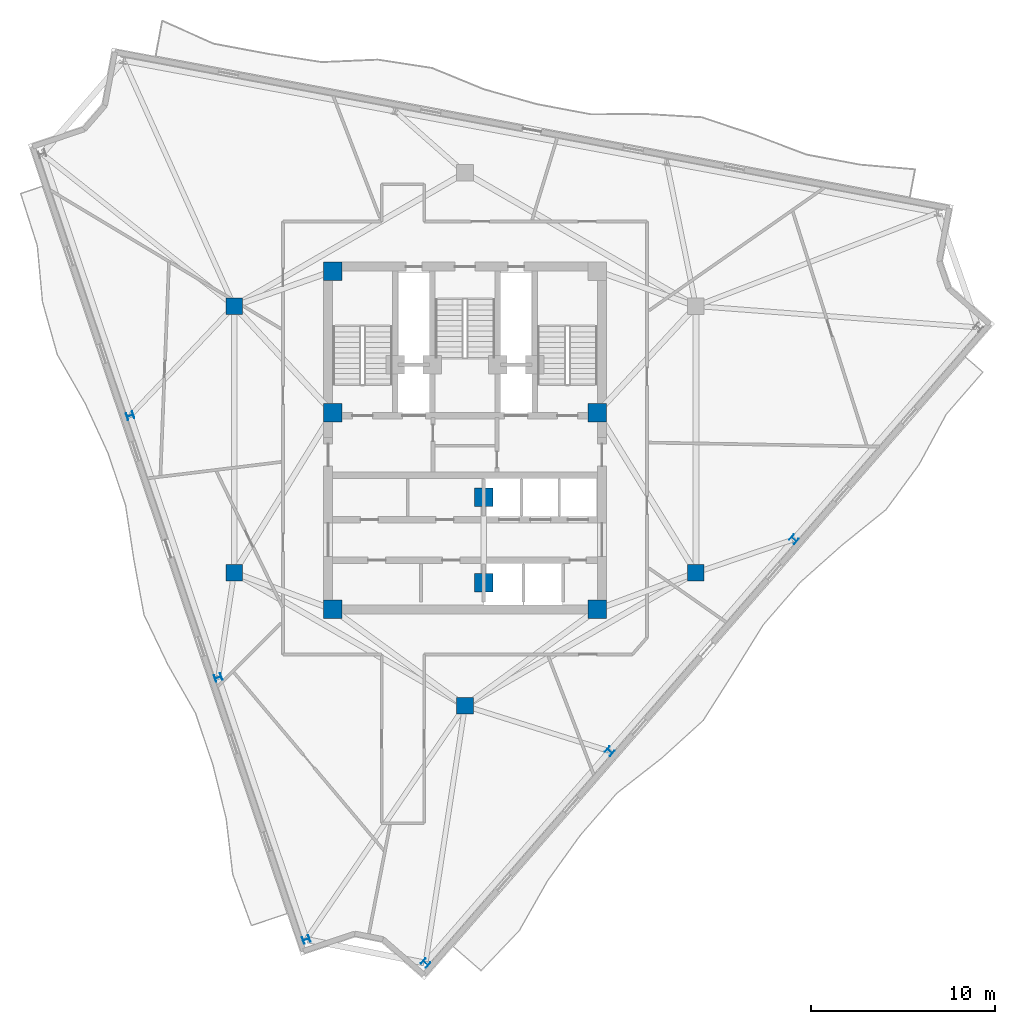
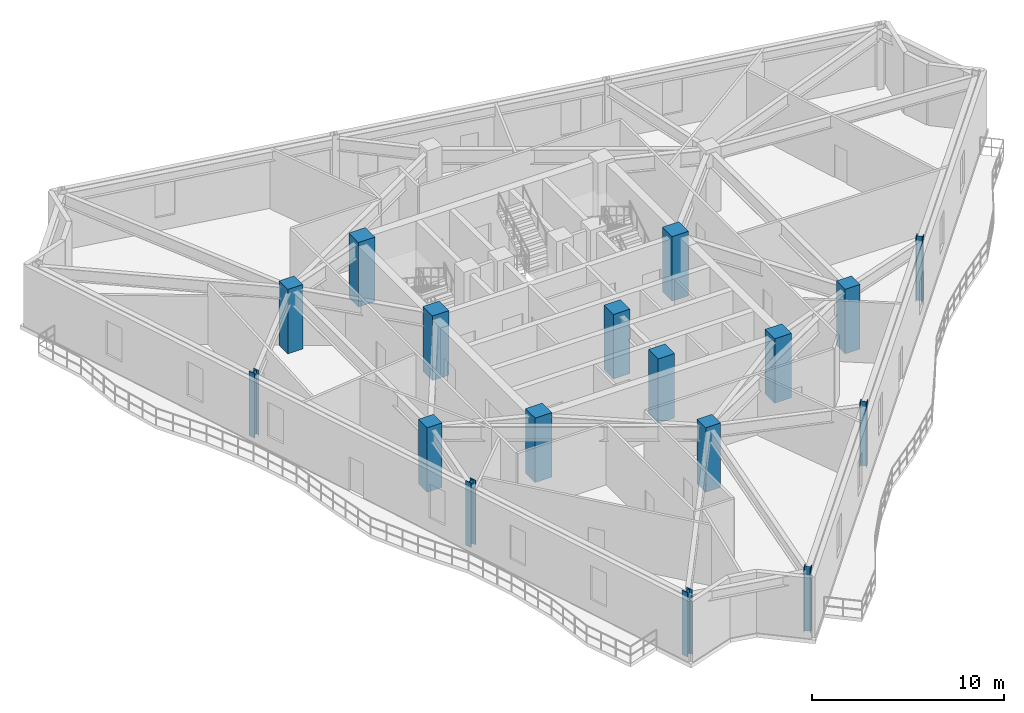
# One storey, part 1 of 10: 17 columns.
"""IFC4 building model written with IfcOpenShell, lengths in metres."""

import ifcopenshell
import ifcopenshell.guid

model = None  # the IFC model being written
_history = None  # IfcOwnerHistory: only IFC2X3 demands one
_inside = {}  # id of a spatial element -> (the spatial element, [elements in it])
_under = {}  # id of a project, library or spatial element -> (it, [spatial elements below it])
_declared = {}  # id of a project -> (the project, [libraries it declares])
_typed = {}  # id of a type object -> (the type object, [elements of that type])
_made_of = {}  # id of a material, layer set ... -> (it, [elements and type objects made of it])


def new_model(schema):
    """Start an empty IFC model of exactly this schema.

    Asked for "IFC4X3", IfcOpenShell would pick the latest addendum, in which some entities
    have other attributes; the version numbers below select the first issue.
    IFC2X3 requires an IfcOwnerHistory on every rooted entity: one is made here for all.
    """
    global model, _history
    if schema == "IFC4X3":
        model = ifcopenshell.file(schema_version=(4, 3, 0, 0))
    else:
        model = ifcopenshell.file(schema=schema)
    _inside.clear()
    _under.clear()
    _declared.clear()
    _typed.clear()
    _made_of.clear()
    _history = None
    if model.schema == "IFC2X3":
        org = make("IfcOrganization", Name="unknown")
        user = make(
            "IfcPersonAndOrganization",
            ThePerson=make("IfcPerson", FamilyName="unknown"),
            TheOrganization=org,
        )
        app = make(
            "IfcApplication",
            ApplicationDeveloper=org,
            Version="unknown",
            ApplicationFullName="unknown",
            ApplicationIdentifier="unknown",
        )
        _history = make(
            "IfcOwnerHistory",
            OwningUser=user,
            OwningApplication=app,
            ChangeAction="ADDED",
            CreationDate=0,
        )
    return model


def make(cls, **values):
    """One entity of the class cls with the attributes given. An attribute that is None is left unset."""
    return model.create_entity(
        cls, **{name: value for name, value in values.items() if value is not None}
    )


def rooted(cls, **values):
    """An entity with a GlobalId (a new one), such as an element, a storey or a relation."""
    return make(cls, GlobalId=ifcopenshell.guid.new(), OwnerHistory=_history, **values)


def si_unit(unit_type, name, prefix=None):
    """IfcSIUnit, for example si_unit("LENGTHUNIT", "METRE", prefix="MILLI")."""
    return make("IfcSIUnit", UnitType=unit_type, Prefix=prefix, Name=name)


def assignment(units):
    """IfcUnitAssignment: the units of a project."""
    return None if units is None else make("IfcUnitAssignment", Units=units)


def point(xyz):
    """IfcCartesianPoint."""
    return None if xyz is None else make("IfcCartesianPoint", Coordinates=xyz)


def direction(xyz):
    """IfcDirection."""
    return None if xyz is None else make("IfcDirection", DirectionRatios=xyz)


def frame(location, z_axis=None, x_axis=None):
    """IfcAxis2Placement3D, a coordinate frame: its origin and axes. An axis left out is left unset."""
    return make(
        "IfcAxis2Placement3D",
        Location=point(location),
        Axis=direction(z_axis),
        RefDirection=direction(x_axis),
    )


def frame_2d(location, x_axis=None):
    """IfcAxis2Placement2D, a coordinate frame in the plane: its origin and x axis."""
    return make(
        "IfcAxis2Placement2D", Location=point(location), RefDirection=direction(x_axis)
    )


def origin():
    """The frame at (0, 0, 0) with its axes left unset."""
    return frame((0.0, 0.0, 0.0))


def origin_2d():
    """The frame at (0, 0) in the plane with its x axis left unset."""
    return frame_2d((0.0, 0.0))


def place(relative_to, where):
    """IfcLocalPlacement: puts the frame where relative to a parent placement (None: the world)."""
    return make(
        "IfcLocalPlacement", PlacementRelTo=relative_to, RelativePlacement=where
    )


def context(
    kind, dimensions, precision=None, world=None, true_north=None, identifier=None
):
    """IfcGeometricRepresentationContext, for example the 3D "Model" context."""
    return make(
        "IfcGeometricRepresentationContext",
        ContextIdentifier=identifier,
        ContextType=kind,
        CoordinateSpaceDimension=dimensions,
        Precision=precision,
        WorldCoordinateSystem=world,
        TrueNorth=true_north,
    )


def subcontext(parent, identifier, kind, view, scale=None):
    """IfcGeometricRepresentationSubContext, for example "Body" below "Model"."""
    return make(
        "IfcGeometricRepresentationSubContext",
        ContextIdentifier=identifier,
        ContextType=kind,
        ParentContext=parent,
        TargetScale=scale,
        TargetView=view,
    )


def project(units=None, contexts=None):
    """IfcProject with its units and contexts."""
    return rooted(
        "IfcProject",
        Name="project",
        RepresentationContexts=contexts,
        UnitsInContext=assignment(units),
    )


def spatial(cls, under=None, at=None, **own):
    """A site, building, storey or space (cls), placed at a placement, below another one or the project."""
    s = rooted(cls, ObjectPlacement=at, **own)
    if under is not None:
        _under.setdefault(under.id(), (under, []))[1].append(s)
    return s


def profile(cls, at=None, kind="AREA", **sizes):
    """A parametric profile (cls). Its sizes go by their IFC names, for example OverallWidth=200.0."""
    return make(cls, ProfileType=kind, Position=at, **sizes)


def rectangle(**sizes):
    """IfcRectangleProfileDef."""
    return profile("IfcRectangleProfileDef", **sizes)


def i_section(**sizes):
    """IfcIShapeProfileDef."""
    return profile("IfcIShapeProfileDef", **sizes)


def extrude(swept, where, along, depth):
    """IfcExtrudedAreaSolid: the profile swept, set in the frame where, extruded along a direction by depth."""
    return make(
        "IfcExtrudedAreaSolid",
        SweptArea=swept,
        Position=where,
        ExtrudedDirection=direction(along),
        Depth=depth,
    )


def shape(context_of_items, identifier, shape_type, items):
    """IfcShapeRepresentation: the items that make up one representation, for example the "Body"."""
    return make(
        "IfcShapeRepresentation",
        ContextOfItems=context_of_items,
        RepresentationIdentifier=identifier,
        RepresentationType=shape_type,
        Items=items,
    )


def material(Name=None, Category=None):
    """IfcMaterial."""
    return make("IfcMaterial", Name=Name, Category=Category)


def material_profile(
    of_material, cross_section, Name=None, Category=None, Priority=None
):
    """IfcMaterialProfile: a cross section and its material."""
    return make(
        "IfcMaterialProfile",
        Name=Name,
        Material=of_material,
        Profile=cross_section,
        Priority=Priority,
        Category=Category,
    )


def profile_set(profiles, Name=None, composite=None):
    """IfcMaterialProfileSet."""
    return make(
        "IfcMaterialProfileSet",
        Name=Name,
        MaterialProfiles=profiles,
        CompositeProfile=composite,
    )


def made_of(thing, what):
    """Note that an element or type object is made of a material, layer set ...; save() writes the relation."""
    if what is not None:
        _made_of.setdefault(what.id(), (what, []))[1].append(thing)
    return thing


def type_object(cls, material=None, **own):
    """A type object (cls), such as IfcWallType, which elements share."""
    return made_of(rooted(cls, **own), material)


def element(
    cls,
    number,
    at=None,
    inside=None,
    cuts=None,
    type_object=None,
    material=None,
    context=None,
    identifier="Body",
    shape_type=None,
    held_by="IfcProductDefinitionShape",
    body=None,
    shapes=None,
    **own,
):
    """One element of the class cls, such as IfcWall. Its Tag is "e" and its number.

    at: its placement. inside: the storey or other place that contains it. cuts: it is an
    opening in that element (IfcRelVoidsElement). A single representation is given by context,
    identifier, shape_type and body (its items); several are given by shapes. held_by: the class
    of the entity that holds the representations. save() writes the other relations.
    """
    e = rooted(cls, Tag="e%d" % number, ObjectPlacement=at, **own)
    if body is not None:
        shapes = [shape(context, identifier, shape_type, body)]
    if shapes is not None:
        e.Representation = make(held_by, Representations=shapes)
    if inside is not None:
        _inside.setdefault(inside.id(), (inside, []))[1].append(e)
    if cuts is not None:
        rooted(
            "IfcRelVoidsElement", RelatingBuildingElement=cuts, RelatedOpeningElement=e
        )
    if type_object is not None:
        _typed.setdefault(type_object.id(), (type_object, []))[1].append(e)
    return made_of(e, material)


def aggregate(whole, parts):
    """IfcRelAggregates: a whole, such as a stair, and the parts it consists of."""
    return rooted("IfcRelAggregates", RelatingObject=whole, RelatedObjects=parts)


def save(model, path):
    """Write the relations noted so far, then the file.

    IfcRelAggregates (storeys below a building ...), IfcRelContainedInSpatialStructure (elements
    in a storey), IfcRelDefinesByType, IfcRelAssociatesMaterial and IfcRelDeclares: one each for
    every whole, place, type object, material and project.
    """
    for whole, parts in _under.values():
        aggregate(whole, parts)
    for where, things in _inside.values():
        rooted(
            "IfcRelContainedInSpatialStructure",
            RelatedElements=things,
            RelatingStructure=where,
        )
    for kind, things in _typed.values():
        rooted("IfcRelDefinesByType", RelatedObjects=things, RelatingType=kind)
    for what, things in _made_of.values():
        rooted("IfcRelAssociatesMaterial", RelatedObjects=things, RelatingMaterial=what)
    for by, libraries in _declared.values():
        rooted("IfcRelDeclares", RelatingContext=by, RelatedDefinitions=libraries)
    model.write(path)


model = new_model("IFC4")

# Units and contexts
model_context = context("Model", 3, precision=1e-05, world=origin(), true_north=direction((0.0, 1.0)))
body_context = subcontext(model_context, "Body", "Model", "MODEL_VIEW")
ifc_project = project(units=[si_unit("LENGTHUNIT", "METRE"), si_unit("AREAUNIT", "SQUARE_METRE"), si_unit("VOLUMEUNIT", "CUBIC_METRE"), si_unit("PLANEANGLEUNIT", "RADIAN"), si_unit("MASSUNIT", "GRAM", prefix="KILO")], contexts=[model_context])

# Site, building, storey
site_placement = place(None, origin())
site = spatial("IfcSite", under=ifc_project, at=site_placement, CompositionType="ELEMENT")
building_placement = place(site_placement, origin())
building = spatial("IfcBuilding", under=site, at=building_placement, Name="Apsidion Concourse Tower", CompositionType="ELEMENT")
storey_placement = place(building_placement, frame((0.0, 0.0, 265.5)))
storey = spatial("IfcBuildingStorey", under=building, at=storey_placement, Name="L62", CompositionType="ELEMENT", Elevation=265.5)

# Columns
ifc_material_1 = material(Name="Concrete C50/60", Category="concrete")
ifc_material_profile_1 = material_profile(ifc_material_1, rectangle(XDim=1.0, YDim=1.0, at=origin_2d()), Name="RC 1000x1000")
ifc_profile_set_1 = profile_set([ifc_material_profile_1], Name="Concrete C50/60")
column_type_1 = type_object("IfcColumnType", Name="COL-RC-1000", PredefinedType="COLUMN", material=ifc_profile_set_1)
for number, where, z_axis, x_axis, name in (
    (1, (-7.199951171875, -9.25, 0.0), (0.0, 0.0, 1.0), (1.0, 0.0, 0.0), "L62 Core Super-Column SC1"),
    (2, (7.199951171875, -9.25, 0.0), (0.0, 0.0, 1.0), (1.0, 0.0, 0.0), "L62 Core Super-Column SC2"),
    (3, (7.199951171875, 1.449951171875, 0.0), (0.0, 0.0, 1.0), (1.0, 0.0, 0.0), "L62 Core Super-Column SC3"),
    (4, (-7.199951171875, 9.14990234375, 0.0), (0.0, 0.0, 1.0), (1.0, 0.0, 0.0), "L62 Core Super-Column SC5"),
    (5, (-7.199951171875, 1.449951171875, 0.0), (0.0, 0.0, 1.0), (1.0, 0.0, 0.0), "L62 Core Super-Column SC6"),
    (6, (1.02490234375, -3.14990234375, 0.0), (0.0, 0.0, 1.0), (1.0, 0.0, 0.0), "L62 Core Super-Column CC5"),
    (7, (1.02490234375, -7.800048828125, 0.0), (0.0, 0.0, 1.0), (1.0, 0.0, 0.0), "L62 Core Super-Column CC6"),
):
    element("IfcColumn", number, at=place(storey_placement, frame(where, z_axis=z_axis, x_axis=x_axis)), inside=storey, type_object=column_type_1, Name=name, PredefinedType="COLUMN", context=body_context, shape_type="SweptSolid", body=[
        extrude(rectangle(XDim=1.0, YDim=1.0, at=origin_2d()), origin(), (0.0, 0.0, 1.0), 4.10009765625),
    ])
ifc_material_profile_2 = material_profile(ifc_material_1, rectangle(XDim=0.89990234375, YDim=0.89990234375, at=origin_2d()), Name="RC 900x900")
ifc_profile_set_2 = profile_set([ifc_material_profile_2], Name="Concrete C50/60")
column_type_2 = type_object("IfcColumnType", Name="COL-RC-900", PredefinedType="COLUMN", material=ifc_profile_set_2)
for number, where, z_axis, x_axis, name in (
    (8, (-12.56005859375, -7.25, 0.0), (0.0, 0.0, 1.0), (1.0, 0.0, 0.0), "L62 Interior Spine Column IC1"),
    (9, (12.56005859375, -7.25, 0.0), (0.0, 0.0, 1.0), (1.0, 0.0, 0.0), "L62 Interior Spine Column IC2"),
    (10, (-12.56005859375, 7.25, 0.0), (0.0, 0.0, 1.0), (1.0, 0.0, 0.0), "L62 Interior Spine Column IC5"),
    (11, (0.0, -14.5, 0.0), (0.0, 0.0, 1.0), (1.0, 0.0, 0.0), "L62 Interior Spine Column IC6"),
):
    element("IfcColumn", number, at=place(storey_placement, frame(where, z_axis=z_axis, x_axis=x_axis)), inside=storey, type_object=column_type_2, Name=name, PredefinedType="COLUMN", context=body_context, shape_type="SweptSolid", body=[
        extrude(rectangle(XDim=0.89990234375, YDim=0.89990234375, at=origin_2d()), origin(), (0.0, 0.0, 1.0), 4.10009765625),
    ])
ifc_material_2 = material(Name="Structural steel ASTM A992 Grade 50", Category="steel")
ifc_material_profile_3 = material_profile(ifc_material_2, i_section(OverallWidth=0.373046875, OverallDepth=0.373046875, WebThickness=0.016357421875, FlangeThickness=0.026123046875, at=origin_2d()), Name="W14X132")
ifc_profile_set_3 = profile_set([ifc_material_profile_3], Name="Structural steel ASTM A992 Grade 50")
column_type_3 = type_object("IfcColumnType", Name="COL-W14-132", PredefinedType="COLUMN", material=ifc_profile_set_3)
for number, where, z_axis, x_axis, name in (
    (12, (-18.215087890625, 1.285888671875, 0.0), (0.0, 0.0, 1.0), (-0.318628456287, 0.947879690069, 0.0), "L62 Rotated Perimeter Column PC02"),
    (13, (-13.42578125, -12.959228515625, 0.0), (0.0, 0.0, 1.0), (-0.318628456287, 0.947879690069, 0.0), "L62 Rotated Perimeter Column PC03"),
    (14, (-8.636474609375, -27.20458984375, 0.0), (0.0, 0.0, 1.0), (-0.318628456287, 0.947879690069, 0.0), "L62 Rotated Perimeter Column PC04"),
    (15, (-2.146728515625, -28.490478515625, 0.0), (0.0, 0.0, 1.0), (0.656059028991, 0.754709580223, 0.0), "L62 Rotated Perimeter Column PC05"),
    (16, (7.87353515625, -16.96337890625, 0.0), (0.0, 0.0, 1.0), (0.656059028991, 0.754709580223, 0.0), "L62 Rotated Perimeter Column PC06"),
    (17, (17.89404296875, -5.436279296875, 0.0), (0.0, 0.0, 1.0), (0.656059028991, 0.754709580223, 0.0), "L62 Rotated Perimeter Column PC07"),
):
    element("IfcColumn", number, at=place(storey_placement, frame(where, z_axis=z_axis, x_axis=x_axis)), inside=storey, type_object=column_type_3, Name=name, PredefinedType="COLUMN", context=body_context, shape_type="SweptSolid", body=[
        extrude(i_section(OverallWidth=0.373046875, OverallDepth=0.373046875, WebThickness=0.016357421875, FlangeThickness=0.026123046875, at=origin_2d()), origin(), (0.0, 0.0, 1.0), 4.10009765625),
    ])

save(model, "model.ifc")
